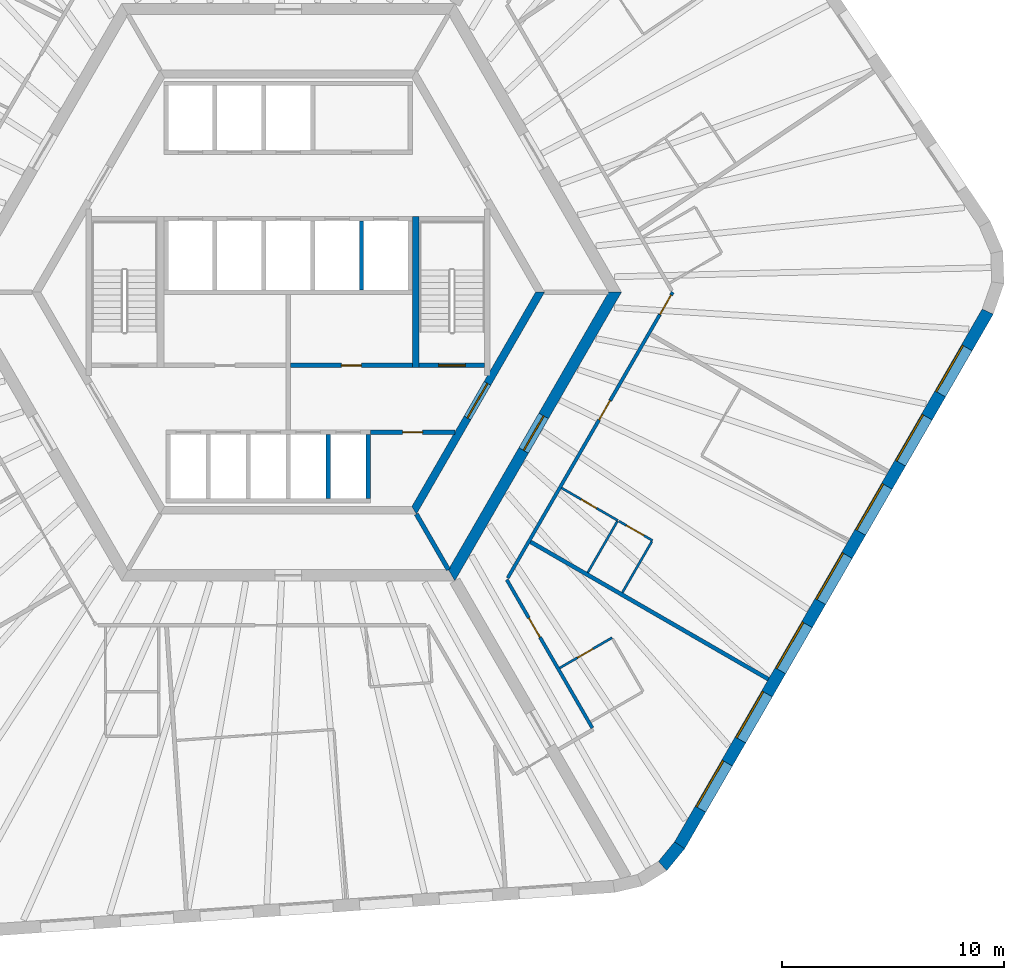
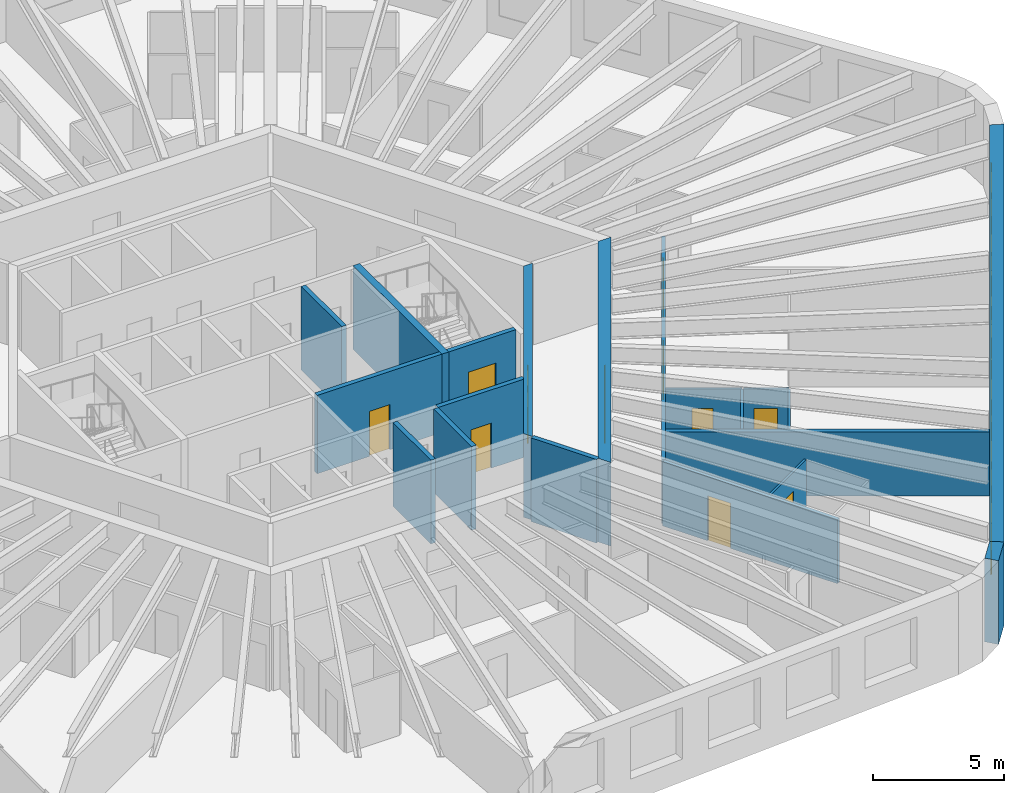
# One storey, part 5 of 10: 20 walls, 11 doors, 7 windows, 18 openings.
"""IFC4 building model written with IfcOpenShell, lengths in metres."""

import ifcopenshell
import ifcopenshell.guid

model = None  # the IFC model being written
_history = None  # IfcOwnerHistory: only IFC2X3 demands one
_inside = {}  # id of a spatial element -> (the spatial element, [elements in it])
_under = {}  # id of a project, library or spatial element -> (it, [spatial elements below it])
_declared = {}  # id of a project -> (the project, [libraries it declares])
_typed = {}  # id of a type object -> (the type object, [elements of that type])
_made_of = {}  # id of a material, layer set ... -> (it, [elements and type objects made of it])


def new_model(schema):
    """Start an empty IFC model of exactly this schema.

    Asked for "IFC4X3", IfcOpenShell would pick the latest addendum, in which some entities
    have other attributes; the version numbers below select the first issue.
    IFC2X3 requires an IfcOwnerHistory on every rooted entity: one is made here for all.
    """
    global model, _history
    if schema == "IFC4X3":
        model = ifcopenshell.file(schema_version=(4, 3, 0, 0))
    else:
        model = ifcopenshell.file(schema=schema)
    _inside.clear()
    _under.clear()
    _declared.clear()
    _typed.clear()
    _made_of.clear()
    _history = None
    if model.schema == "IFC2X3":
        org = make("IfcOrganization", Name="unknown")
        user = make(
            "IfcPersonAndOrganization",
            ThePerson=make("IfcPerson", FamilyName="unknown"),
            TheOrganization=org,
        )
        app = make(
            "IfcApplication",
            ApplicationDeveloper=org,
            Version="unknown",
            ApplicationFullName="unknown",
            ApplicationIdentifier="unknown",
        )
        _history = make(
            "IfcOwnerHistory",
            OwningUser=user,
            OwningApplication=app,
            ChangeAction="ADDED",
            CreationDate=0,
        )
    return model


def make(cls, **values):
    """One entity of the class cls with the attributes given. An attribute that is None is left unset."""
    return model.create_entity(
        cls, **{name: value for name, value in values.items() if value is not None}
    )


def rooted(cls, **values):
    """An entity with a GlobalId (a new one), such as an element, a storey or a relation."""
    return make(cls, GlobalId=ifcopenshell.guid.new(), OwnerHistory=_history, **values)


def si_unit(unit_type, name, prefix=None):
    """IfcSIUnit, for example si_unit("LENGTHUNIT", "METRE", prefix="MILLI")."""
    return make("IfcSIUnit", UnitType=unit_type, Prefix=prefix, Name=name)


def assignment(units):
    """IfcUnitAssignment: the units of a project."""
    return None if units is None else make("IfcUnitAssignment", Units=units)


def point(xyz):
    """IfcCartesianPoint."""
    return None if xyz is None else make("IfcCartesianPoint", Coordinates=xyz)


def direction(xyz):
    """IfcDirection."""
    return None if xyz is None else make("IfcDirection", DirectionRatios=xyz)


def frame(location, z_axis=None, x_axis=None):
    """IfcAxis2Placement3D, a coordinate frame: its origin and axes. An axis left out is left unset."""
    return make(
        "IfcAxis2Placement3D",
        Location=point(location),
        Axis=direction(z_axis),
        RefDirection=direction(x_axis),
    )


def frame_2d(location, x_axis=None):
    """IfcAxis2Placement2D, a coordinate frame in the plane: its origin and x axis."""
    return make(
        "IfcAxis2Placement2D", Location=point(location), RefDirection=direction(x_axis)
    )


def origin():
    """The frame at (0, 0, 0) with its axes left unset."""
    return frame((0.0, 0.0, 0.0))


def place(relative_to, where):
    """IfcLocalPlacement: puts the frame where relative to a parent placement (None: the world)."""
    return make(
        "IfcLocalPlacement", PlacementRelTo=relative_to, RelativePlacement=where
    )


def context(
    kind, dimensions, precision=None, world=None, true_north=None, identifier=None
):
    """IfcGeometricRepresentationContext, for example the 3D "Model" context."""
    return make(
        "IfcGeometricRepresentationContext",
        ContextIdentifier=identifier,
        ContextType=kind,
        CoordinateSpaceDimension=dimensions,
        Precision=precision,
        WorldCoordinateSystem=world,
        TrueNorth=true_north,
    )


def subcontext(parent, identifier, kind, view, scale=None):
    """IfcGeometricRepresentationSubContext, for example "Body" below "Model"."""
    return make(
        "IfcGeometricRepresentationSubContext",
        ContextIdentifier=identifier,
        ContextType=kind,
        ParentContext=parent,
        TargetScale=scale,
        TargetView=view,
    )


def project(units=None, contexts=None):
    """IfcProject with its units and contexts."""
    return rooted(
        "IfcProject",
        Name="project",
        RepresentationContexts=contexts,
        UnitsInContext=assignment(units),
    )


def spatial(cls, under=None, at=None, **own):
    """A site, building, storey or space (cls), placed at a placement, below another one or the project."""
    s = rooted(cls, ObjectPlacement=at, **own)
    if under is not None:
        _under.setdefault(under.id(), (under, []))[1].append(s)
    return s


def polyline(points):
    """IfcPolyline through the points."""
    return make("IfcPolyline", Points=[point(p) for p in points])


def profile(cls, at=None, kind="AREA", **sizes):
    """A parametric profile (cls). Its sizes go by their IFC names, for example OverallWidth=200.0."""
    return make(cls, ProfileType=kind, Position=at, **sizes)


def rectangle(**sizes):
    """IfcRectangleProfileDef."""
    return profile("IfcRectangleProfileDef", **sizes)


def outline(outer, holes=None, kind="AREA"):
    """IfcArbitraryClosedProfileDef: a profile drawn as a closed curve; with holes, ...WithVoids."""
    if holes is None:
        return make("IfcArbitraryClosedProfileDef", ProfileType=kind, OuterCurve=outer)
    return make(
        "IfcArbitraryProfileDefWithVoids",
        ProfileType=kind,
        OuterCurve=outer,
        InnerCurves=holes,
    )


def extrude(swept, where, along, depth):
    """IfcExtrudedAreaSolid: the profile swept, set in the frame where, extruded along a direction by depth."""
    return make(
        "IfcExtrudedAreaSolid",
        SweptArea=swept,
        Position=where,
        ExtrudedDirection=direction(along),
        Depth=depth,
    )


def shape(context_of_items, identifier, shape_type, items):
    """IfcShapeRepresentation: the items that make up one representation, for example the "Body"."""
    return make(
        "IfcShapeRepresentation",
        ContextOfItems=context_of_items,
        RepresentationIdentifier=identifier,
        RepresentationType=shape_type,
        Items=items,
    )


def material(Name=None, Category=None):
    """IfcMaterial."""
    return make("IfcMaterial", Name=Name, Category=Category)


def layer(
    of_material, thickness, ventilated=None, Name=None, Category=None, Priority=None
):
    """IfcMaterialLayer: one layer of a wall or slab, of a material (None: an air gap)."""
    return make(
        "IfcMaterialLayer",
        Material=of_material,
        LayerThickness=thickness,
        IsVentilated=ventilated,
        Name=Name,
        Category=Category,
        Priority=Priority,
    )


def layer_set(layers, Name=None):
    """IfcMaterialLayerSet."""
    return make("IfcMaterialLayerSet", MaterialLayers=layers, LayerSetName=Name)


def made_of(thing, what):
    """Note that an element or type object is made of a material, layer set ...; save() writes the relation."""
    if what is not None:
        _made_of.setdefault(what.id(), (what, []))[1].append(thing)
    return thing


def type_object(cls, material=None, **own):
    """A type object (cls), such as IfcWallType, which elements share."""
    return made_of(rooted(cls, **own), material)


def element(
    cls,
    number,
    at=None,
    inside=None,
    cuts=None,
    type_object=None,
    material=None,
    context=None,
    identifier="Body",
    shape_type=None,
    held_by="IfcProductDefinitionShape",
    body=None,
    shapes=None,
    **own,
):
    """One element of the class cls, such as IfcWall. Its Tag is "e" and its number.

    at: its placement. inside: the storey or other place that contains it. cuts: it is an
    opening in that element (IfcRelVoidsElement). A single representation is given by context,
    identifier, shape_type and body (its items); several are given by shapes. held_by: the class
    of the entity that holds the representations. save() writes the other relations.
    """
    e = rooted(cls, Tag="e%d" % number, ObjectPlacement=at, **own)
    if body is not None:
        shapes = [shape(context, identifier, shape_type, body)]
    if shapes is not None:
        e.Representation = make(held_by, Representations=shapes)
    if inside is not None:
        _inside.setdefault(inside.id(), (inside, []))[1].append(e)
    if cuts is not None:
        rooted(
            "IfcRelVoidsElement", RelatingBuildingElement=cuts, RelatedOpeningElement=e
        )
    if type_object is not None:
        _typed.setdefault(type_object.id(), (type_object, []))[1].append(e)
    return made_of(e, material)


def fill(opening, filler):
    """IfcRelFillsElement: the door or window that sits in an opening."""
    return rooted(
        "IfcRelFillsElement",
        RelatingOpeningElement=opening,
        RelatedBuildingElement=filler,
    )


def aggregate(whole, parts):
    """IfcRelAggregates: a whole, such as a stair, and the parts it consists of."""
    return rooted("IfcRelAggregates", RelatingObject=whole, RelatedObjects=parts)


def save(model, path):
    """Write the relations noted so far, then the file.

    IfcRelAggregates (storeys below a building ...), IfcRelContainedInSpatialStructure (elements
    in a storey), IfcRelDefinesByType, IfcRelAssociatesMaterial and IfcRelDeclares: one each for
    every whole, place, type object, material and project.
    """
    for whole, parts in _under.values():
        aggregate(whole, parts)
    for where, things in _inside.values():
        rooted(
            "IfcRelContainedInSpatialStructure",
            RelatedElements=things,
            RelatingStructure=where,
        )
    for kind, things in _typed.values():
        rooted("IfcRelDefinesByType", RelatedObjects=things, RelatingType=kind)
    for what, things in _made_of.values():
        rooted("IfcRelAssociatesMaterial", RelatedObjects=things, RelatingMaterial=what)
    for by, libraries in _declared.values():
        rooted("IfcRelDeclares", RelatingContext=by, RelatedDefinitions=libraries)
    model.write(path)


model = new_model("IFC4")

# Units and contexts
model_context = context("Model", 3, precision=1e-05, world=origin(), true_north=direction((0.0, 1.0)))
body_context = subcontext(model_context, "Body", "Model", "MODEL_VIEW")
ifc_project = project(units=[si_unit("LENGTHUNIT", "METRE"), si_unit("AREAUNIT", "SQUARE_METRE"), si_unit("VOLUMEUNIT", "CUBIC_METRE"), si_unit("PLANEANGLEUNIT", "RADIAN"), si_unit("MASSUNIT", "GRAM", prefix="KILO")], contexts=[model_context])

# Site, building, storey
site_placement = place(None, origin())
site = spatial("IfcSite", under=ifc_project, at=site_placement, CompositionType="ELEMENT")
building_placement = place(site_placement, origin())
building = spatial("IfcBuilding", under=site, at=building_placement, Name="Tarnside Tower", CompositionType="ELEMENT")
storey_placement = place(building_placement, frame((0.0, 0.0, 187.800048828125)))
storey = spatial("IfcBuildingStorey", under=building, at=storey_placement, Name="L44", CompositionType="ELEMENT", Elevation=187.800048828125)

# Wall, opening, door
ifc_material_1 = material(Name="Gypsum board partition on steel studs", Category="steel")
ifc_layer_1 = layer(ifc_material_1, 0.10009765625)
ifc_layer_set_1 = layer_set([ifc_layer_1], Name="Bathroom wall 100")
wall_type_1 = type_object("IfcWallType", Name="Bathroom wall 100", PredefinedType="PARTITIONING", material=ifc_layer_set_1)
wall_1_placement = place(storey_placement, frame((12.226806640625, -16.927490234375, 0.0), z_axis=(0.0, 0.0, 1.0), x_axis=(0.866012511928, 0.500022328685, 0.0)))
wall_1 = element("IfcWall", 1, at=wall_1_placement, inside=storey, type_object=wall_type_1, Name="Bathroom wall 14100", PredefinedType="PARTITIONING", context=body_context, shape_type="SweptSolid", body=[
    extrude(rectangle(XDim=2.72509765625, YDim=0.10009765625, at=frame_2d((1.362548828125, 0.0))), origin(), (0.0, 0.0, 1.0), 2.98779296875),
])
opening_1_placement = place(wall_1_placement, frame((0.925048828125, 0.0, 0.0)))
opening_1 = element("IfcOpeningElement", 2, at=opening_1_placement, cuts=wall_1, Name="Opening D-B1", PredefinedType="OPENING", context=body_context, shape_type="SweptSolid", body=[
    extrude(rectangle(XDim=0.800048828125, YDim=2.10009765625, at=frame_2d((0.39990234375, 1.050048828125))), frame((0.0, 0.06005859375, 0.0), z_axis=(0.0, -1.0, 0.0), x_axis=(1.0, 0.0, 0.0)), (0.0, 0.0, 1.0), 0.1201171875),
])
ifc_material_2 = material(Name="Timber door leaf", Category="wood")
door_type_1 = type_object("IfcDoorType", Name="Bathroom door 800", OperationType="NOTDEFINED", PredefinedType="DOOR", material=ifc_material_2)
door_1_placement = place(opening_1_placement, origin())
door_1 = element("IfcDoor", 3, at=door_1_placement, inside=storey, type_object=door_type_1, Name="Bathroom door 14026", OperationType="SINGLE_SWING_RIGHT", OverallHeight=2.10009765625, OverallWidth=0.800048828125, PredefinedType="DOOR", context=body_context, shape_type="SweptSolid", body=[
    extrude(rectangle(XDim=0.800048828125, YDim=2.10009765625, at=frame_2d((0.39990234375, 1.050048828125))), frame((0.0, 0.02490234375, 0.0), z_axis=(0.0, -1.0, 0.0), x_axis=(1.0, 0.0, 0.0)), (0.0, 0.0, 1.0), 0.050048828125),
])
fill(opening_1, door_1)

wall_2_placement = place(storey_placement, frame((12.314208984375, -8.821044921875, 0.0), z_axis=(0.0, 0.0, 1.0), x_axis=(0.866046596414, -0.499963291492, 0.0)))
wall_2 = element("IfcWall", 4, at=wall_2_placement, inside=storey, type_object=wall_type_1, Name="Bathroom wall 14106", PredefinedType="PARTITIONING", context=body_context, shape_type="SweptSolid", body=[
    extrude(rectangle(XDim=2.925048828125, YDim=0.10009765625, at=frame_2d((1.46240234375, 0.0))), origin(), (0.0, 0.0, 1.0), 2.98779296875),
])
opening_2_placement = place(wall_2_placement, frame((1.02490234375, 0.0, 0.0)))
opening_2 = element("IfcOpeningElement", 5, at=opening_2_placement, cuts=wall_2, Name="Opening D-B1", PredefinedType="OPENING", context=body_context, shape_type="SweptSolid", body=[
    extrude(rectangle(XDim=0.800048828125, YDim=2.10009765625, at=frame_2d((0.39990234375, 1.050048828125))), frame((0.0, 0.06005859375, 0.0), z_axis=(0.0, -1.0, 0.0), x_axis=(1.0, 0.0, 0.0)), (0.0, 0.0, 1.0), 0.1201171875),
])
door_2_placement = place(opening_2_placement, origin())
door_2 = element("IfcDoor", 6, at=door_2_placement, inside=storey, type_object=door_type_1, Name="Bathroom door 14028", OperationType="SINGLE_SWING_RIGHT", OverallHeight=2.10009765625, OverallWidth=0.800048828125, PredefinedType="DOOR", context=body_context, shape_type="SweptSolid", body=[
    extrude(rectangle(XDim=0.800048828125, YDim=2.10009765625, at=frame_2d((0.39990234375, 1.050048828125))), frame((0.0, 0.02490234375, 0.0), z_axis=(0.0, -1.0, 0.0), x_axis=(1.0, 0.0, 0.0)), (0.0, 0.0, 1.0), 0.050048828125),
])
fill(opening_2, door_2)

# Wall
wall_3_placement = place(storey_placement, frame((13.492431640625, -12.63037109375, 0.0), z_axis=(0.0, 0.0, 1.0), x_axis=(0.50004820116, 0.865997573043, 0.0)))
element("IfcWall", 7, at=wall_3_placement, inside=storey, type_object=wall_type_1, Name="Bathroom wall 14112", PredefinedType="PARTITIONING", context=body_context, shape_type="SweptSolid", body=[
    extrude(rectangle(XDim=2.659912109375, YDim=0.10009765625, at=frame_2d((1.330078125, 0.0))), origin(), (0.0, 0.0, 1.0), 2.98779296875),
])

# Wall, opening, door
ifc_material_3 = material(Name="Concrete C50/60", Category="concrete")
ifc_layer_2 = layer(ifc_material_3, 0.35009765625)
ifc_layer_set_2 = layer_set([ifc_layer_2], Name="Core block wall 350 C50/60")
wall_type_2 = type_object("IfcWallType", Name="Core block wall 350 C50/60", PredefinedType="SHEAR", material=ifc_layer_set_2)
wall_4_placement = place(storey_placement, frame((5.672607421875, -9.824951171875, -0.150146484375), z_axis=(0.0, 0.0, 1.0), x_axis=(0.499995046907, 0.866028263435, 0.0)))
wall_4 = element("IfcWall", 8, at=wall_4_placement, inside=storey, type_object=wall_type_2, Name="L44 core block wall face 5", PredefinedType="SHEAR", context=body_context, shape_type="SweptSolid", body=[
    extrude(outline(polyline([(-0.10107421875, -0.175048828125), (11.44580078125, -0.175048828125), (11.24365234375, 0.175048828125), (0.10107421875, 0.175048828125), (-0.10107421875, -0.175048828125)])), origin(), (0.0, 0.0, 1.0), 3.900146484375),
])
opening_3_placement = place(wall_4_placement, frame((4.80126953125, 0.0, 0.14990234375)))
opening_3 = element("IfcOpeningElement", 9, at=opening_3_placement, cuts=wall_4, Name="Opening CD-FFL", PredefinedType="OPENING", context=body_context, shape_type="SweptSolid", body=[
    extrude(rectangle(XDim=1.800048828125, YDim=2.39990234375, at=frame_2d((0.89990234375, 1.199951171875))), frame((0.0, 0.18505859375, 0.0), z_axis=(0.0, -1.0, 0.0), x_axis=(1.0, 0.0, 0.0)), (0.0, 0.0, 1.0), 0.3701171875),
])
ifc_material_4 = material(Name="Steel fire door", Category="steel")
door_type_2 = type_object("IfcDoorType", Name="Firefighting lobby double door FD60S 1800x2400", OperationType="NOTDEFINED", PredefinedType="DOOR", material=ifc_material_4)
door_3_placement = place(opening_3_placement, origin())
door_3 = element("IfcDoor", 10, at=door_3_placement, inside=storey, type_object=door_type_2, Name="L44 lobby block door P4", OperationType="DOUBLE_DOOR_SINGLE_SWING", OverallHeight=2.39990234375, OverallWidth=1.800048828125, PredefinedType="DOOR", context=body_context, shape_type="SweptSolid", body=[
    extrude(rectangle(XDim=1.800048828125, YDim=2.39990234375, at=frame_2d((0.89990234375, 1.199951171875))), frame((0.0, 0.02490234375, 0.0), z_axis=(0.0, -1.0, 0.0), x_axis=(1.0, 0.0, 0.0)), (0.0, 0.0, 1.0), 0.050048828125),
])
fill(opening_3, door_3)

ifc_material_5 = material(Name="Concrete C40/50", Category="concrete")
ifc_layer_3 = layer(ifc_material_5, 0.199951171875)
ifc_layer_set_3 = layer_set([ifc_layer_3], Name="Core room partition 200 C40/50")
wall_type_3 = type_object("IfcWallType", Name="Core room partition 200 C40/50", PredefinedType="PARTITIONING", material=ifc_layer_set_3)
wall_5_placement = place(storey_placement, frame((0.10009765625, -3.300048828125, 0.0), z_axis=(0.0, 0.0, 1.0), x_axis=(1.0, 0.0, 0.0)))
wall_5 = element("IfcWall", 11, at=wall_5_placement, inside=storey, type_object=wall_type_3, Name="L44 core partition R3S1", PredefinedType="PARTITIONING", context=body_context, shape_type="SweptSolid", body=[
    extrude(rectangle(XDim=5.5, YDim=0.199951171875, at=frame_2d((2.75, 0.0))), origin(), (0.0, 0.0, 1.0), 3.64990234375),
])
opening_4_placement = place(wall_5_placement, frame((2.300048828125, 0.0, 0.0)))
opening_4 = element("IfcOpeningElement", 12, at=opening_4_placement, cuts=wall_5, Name="Opening CD-room", PredefinedType="OPENING", context=body_context, shape_type="SweptSolid", body=[
    extrude(rectangle(XDim=0.89990234375, YDim=2.10009765625, at=frame_2d((0.449951171875, 1.050048828125))), frame((0.0, 0.10986328125, 0.0), z_axis=(0.0, -1.0, 0.0), x_axis=(1.0, 0.0, 0.0)), (0.0, 0.0, 1.0), 0.219970703125),
])
door_type_3 = type_object("IfcDoorType", Name="Room door FD60 900x2100", OperationType="NOTDEFINED", PredefinedType="DOOR", material=ifc_material_4)
door_4_placement = place(opening_4_placement, origin())
door_4 = element("IfcDoor", 13, at=door_4_placement, inside=storey, type_object=door_type_3, Name="L44 core room door SR1", OperationType="SINGLE_SWING_LEFT", OverallHeight=2.10009765625, OverallWidth=0.89990234375, PredefinedType="DOOR", context=body_context, shape_type="SweptSolid", body=[
    extrude(rectangle(XDim=0.89990234375, YDim=2.10009765625, at=frame_2d((0.449951171875, 1.050048828125))), frame((0.0, 0.02490234375, 0.0), z_axis=(0.0, -1.0, 0.0), x_axis=(1.0, 0.0, 0.0)), (0.0, 0.0, 1.0), 0.050048828125),
])
fill(opening_4, door_4)

wall_6_placement = place(storey_placement, frame((3.699951171875, -6.300048828125, 0.0), z_axis=(0.0, 0.0, 1.0), x_axis=(1.0, 0.0, 0.0)))
wall_6 = element("IfcWall", 14, at=wall_6_placement, inside=storey, type_object=wall_type_3, Name="L44 core partition R4X", PredefinedType="PARTITIONING", context=body_context, shape_type="SweptSolid", body=[
    extrude(rectangle(XDim=3.8056640625, YDim=0.199951171875, at=frame_2d((1.90283203125, 0.0))), origin(), (0.0, 0.0, 1.0), 3.64990234375),
])
opening_5_placement = place(wall_6_placement, frame((1.452880859375, 0.0, 0.0)))
opening_5 = element("IfcOpeningElement", 15, at=opening_5_placement, cuts=wall_6, Name="Opening CD-room", PredefinedType="OPENING", context=body_context, shape_type="SweptSolid", body=[
    extrude(rectangle(XDim=0.89990234375, YDim=2.10009765625, at=frame_2d((0.449951171875, 1.050048828125))), frame((0.0, 0.10986328125, 0.0), z_axis=(0.0, -1.0, 0.0), x_axis=(1.0, 0.0, 0.0)), (0.0, 0.0, 1.0), 0.219970703125),
])
door_5_placement = place(opening_5_placement, origin())
door_5 = element("IfcDoor", 16, at=door_5_placement, inside=storey, type_object=door_type_3, Name="L44 core room door RX", OperationType="SINGLE_SWING_LEFT", OverallHeight=2.10009765625, OverallWidth=0.89990234375, PredefinedType="DOOR", context=body_context, shape_type="SweptSolid", body=[
    extrude(rectangle(XDim=0.89990234375, YDim=2.10009765625, at=frame_2d((0.449951171875, 1.050048828125))), frame((0.0, 0.02490234375, 0.0), z_axis=(0.0, -1.0, 0.0), x_axis=(1.0, 0.0, 0.0)), (0.0, 0.0, 1.0), 0.050048828125),
])
fill(opening_5, door_5)

ifc_material_6 = material(Name="Concrete C70/85", Category="concrete")
ifc_layer_4 = layer(ifc_material_6, 0.5)
ifc_layer_set_4 = layer_set([ifc_layer_4], Name="Core wall Z2 500 C70/85")
wall_type_4 = type_object("IfcWallType", Name="Core wall Z2 500 C70/85", PredefinedType="SHEAR", material=ifc_layer_set_4)
wall_7_placement = place(storey_placement, frame((7.361083984375, -12.75, -0.150146484375), z_axis=(0.0, 0.0, 1.0), x_axis=(0.50000571537, 0.866022103989, 0.0)))
wall_7 = element("IfcWall", 17, at=wall_7_placement, inside=storey, type_object=wall_type_4, Name="L44 core wall face 5", PredefinedType="SHEAR", context=body_context, shape_type="SweptSolid", body=[
    extrude(outline(polyline([(-0.144287109375, -0.25), (14.86669921875, -0.25), (14.578125, 0.25), (0.144287109375, 0.25), (-0.144287109375, -0.25)])), origin(), (0.0, 0.0, 1.0), 3.900146484375),
])
opening_6_placement = place(wall_7_placement, frame((6.489990234375, 0.0, 0.14990234375)))
opening_6 = element("IfcOpeningElement", 18, at=opening_6_placement, cuts=wall_7, Name="Opening CD-FFL", PredefinedType="OPENING", context=body_context, shape_type="SweptSolid", body=[
    extrude(rectangle(XDim=1.800048828125, YDim=2.39990234375, at=frame_2d((0.89990234375, 1.199951171875))), frame((0.0, 0.260009765625, 0.0), z_axis=(0.0, -1.0, 0.0), x_axis=(1.0, 0.0, 0.0)), (0.0, 0.0, 1.0), 0.52001953125),
])
door_6_placement = place(opening_6_placement, origin())
door_6 = element("IfcDoor", 19, at=door_6_placement, inside=storey, type_object=door_type_2, Name="L44 core door P4", OperationType="DOUBLE_DOOR_SINGLE_SWING", OverallHeight=2.39990234375, OverallWidth=1.800048828125, PredefinedType="DOOR", context=body_context, shape_type="SweptSolid", body=[
    extrude(rectangle(XDim=1.800048828125, YDim=2.39990234375, at=frame_2d((0.89990234375, 1.199951171875))), frame((0.0, 0.02490234375, 0.0), z_axis=(0.0, -1.0, 0.0), x_axis=(1.0, 0.0, 0.0)), (0.0, 0.0, 1.0), 0.050048828125),
])
fill(opening_6, door_6)

ifc_layer_5 = layer(ifc_material_1, 0.14990234375)
ifc_layer_set_5 = layer_set([ifc_layer_5], Name="Corridor wall 150 EI 60")
wall_type_5 = type_object("IfcWallType", Name="Corridor wall 150 EI 60", PredefinedType="PARTITIONING", material=ifc_layer_set_5)
wall_8_placement = place(storey_placement, frame((13.69921875, -19.6279296875, 0.0), z_axis=(0.0, 0.0, 1.0), x_axis=(-0.499993780622, 0.866028994514, 0.0)))
wall_8 = element("IfcWall", 20, at=wall_8_placement, inside=storey, type_object=wall_type_5, Name="Corridor wall 14035", PredefinedType="PARTITIONING", context=body_context, shape_type="SweptSolid", body=[
    extrude(rectangle(XDim=7.7109375, YDim=0.14990234375, at=frame_2d((3.85546875, 0.0))), origin(), (0.0, 0.0, 1.0), 2.98779296875),
])
opening_7_placement = place(wall_8_placement, frame((4.718017578125, 0.0, 0.0)))
opening_7 = element("IfcOpeningElement", 21, at=opening_7_placement, cuts=wall_8, Name="Opening D-E1", PredefinedType="OPENING", context=body_context, shape_type="SweptSolid", body=[
    extrude(rectangle(XDim=1.0, YDim=2.10009765625, at=frame_2d((0.5, 1.050048828125))), frame((0.0, 0.0849609375, 0.0), z_axis=(0.0, -1.0, 0.0), x_axis=(1.0, 0.0, 0.0)), (0.0, 0.0, 1.0), 0.169921875),
])
door_type_4 = type_object("IfcDoorType", Name="Unit entrance door 1000 FD30S", OperationType="NOTDEFINED", PredefinedType="DOOR", material=ifc_material_2)
door_7_placement = place(opening_7_placement, origin())
door_7 = element("IfcDoor", 22, at=door_7_placement, inside=storey, type_object=door_type_4, Name="Unit door 14025", OperationType="SINGLE_SWING_LEFT", OverallHeight=2.10009765625, OverallWidth=1.0, PredefinedType="DOOR", context=body_context, shape_type="SweptSolid", body=[
    extrude(rectangle(XDim=1.0, YDim=2.10009765625, at=frame_2d((0.5, 1.050048828125))), frame((0.0, 0.02490234375, 0.0), z_axis=(0.0, -1.0, 0.0), x_axis=(1.0, 0.0, 0.0)), (0.0, 0.0, 1.0), 0.050048828125),
])
fill(opening_7, door_7)

# Wall, openings, doors
wall_9_placement = place(storey_placement, frame((9.88720703125, -12.875, 0.0), z_axis=(0.0, 0.0, 1.0), x_axis=(0.499998228944, 0.866026426302, 0.0)))
wall_9 = element("IfcWall", 23, at=wall_9_placement, inside=storey, type_object=wall_type_5, Name="Corridor wall 14036", PredefinedType="PARTITIONING", context=body_context, shape_type="SweptSolid", body=[
    extrude(rectangle(XDim=14.86669921875, YDim=0.14990234375, at=frame_2d((7.433349609375, 0.0))), origin(), (0.0, 0.0, 1.0), 2.98779296875),
])
opening_8_placement = place(wall_9_placement, frame((8.224365234375, 0.0, 0.0)))
opening_8 = element("IfcOpeningElement", 24, at=opening_8_placement, cuts=wall_9, Name="Opening D-E1", PredefinedType="OPENING", context=body_context, shape_type="SweptSolid", body=[
    extrude(rectangle(XDim=1.0, YDim=2.10009765625, at=frame_2d((0.5, 1.050048828125))), frame((0.0, 0.0849609375, 0.0), z_axis=(0.0, -1.0, 0.0), x_axis=(1.0, 0.0, 0.0)), (0.0, 0.0, 1.0), 0.169921875),
])
opening_9_placement = place(wall_9_placement, frame((13.716796875, 0.0, 0.0)))
opening_9 = element("IfcOpeningElement", 25, at=opening_9_placement, cuts=wall_9, Name="Opening D-E1", PredefinedType="OPENING", context=body_context, shape_type="SweptSolid", body=[
    extrude(rectangle(XDim=1.0, YDim=2.10009765625, at=frame_2d((0.5, 1.050048828125))), frame((0.0, 0.0849609375, 0.0), z_axis=(0.0, -1.0, 0.0), x_axis=(1.0, 0.0, 0.0)), (0.0, 0.0, 1.0), 0.169921875),
])
door_8_placement = place(opening_8_placement, origin())
door_8 = element("IfcDoor", 26, at=door_8_placement, inside=storey, type_object=door_type_4, Name="Unit door 14027", OperationType="SINGLE_SWING_LEFT", OverallHeight=2.10009765625, OverallWidth=1.0, PredefinedType="DOOR", context=body_context, shape_type="SweptSolid", body=[
    extrude(rectangle(XDim=1.0, YDim=2.10009765625, at=frame_2d((0.5, 1.050048828125))), frame((0.0, 0.02490234375, 0.0), z_axis=(0.0, -1.0, 0.0), x_axis=(1.0, 0.0, 0.0)), (0.0, 0.0, 1.0), 0.050048828125),
])
fill(opening_8, door_8)
door_9_placement = place(opening_9_placement, origin())
door_9 = element("IfcDoor", 27, at=door_9_placement, inside=storey, type_object=door_type_4, Name="Unit door 14031", OperationType="SINGLE_SWING_LEFT", OverallHeight=2.10009765625, OverallWidth=1.0, PredefinedType="DOOR", context=body_context, shape_type="SweptSolid", body=[
    extrude(rectangle(XDim=1.0, YDim=2.10009765625, at=frame_2d((0.5, 1.050048828125))), frame((0.0, 0.02490234375, 0.0), z_axis=(0.0, -1.0, 0.0), x_axis=(1.0, 0.0, 0.0)), (0.0, 0.0, 1.0), 0.050048828125),
])
fill(opening_9, door_9)

# Walls
ifc_layer_6 = layer(ifc_material_1, 0.179931640625)
ifc_layer_set_6 = layer_set([ifc_layer_6], Name="Demising wall 180 EI 60")
wall_type_6 = type_object("IfcWallType", Name="Demising wall 180 EI 60", PredefinedType="PARTITIONING", material=ifc_layer_set_6)
wall_10_placement = place(storey_placement, frame((21.63134765625, -17.433349609375, 0.0), z_axis=(0.0, 0.0, 1.0), x_axis=(-0.866024931941, 0.500000817256, 0.0)))
element("IfcWall", 28, at=wall_10_placement, inside=storey, type_object=wall_type_6, Name="Demising wall 14103", PredefinedType="PARTITIONING", context=body_context, shape_type="SweptSolid", body=[
    extrude(rectangle(XDim=12.375, YDim=0.179931640625, at=frame_2d((6.1875, 0.0))), origin(), (0.0, 0.0, 1.0), 2.98779296875),
])
ifc_layer_7 = layer(ifc_material_5, 0.199951171875)
ifc_layer_set_7 = layer_set([ifc_layer_7], Name="Lift shaft wall 200 C40/50")
wall_type_7 = type_object("IfcWallType", Name="Lift shaft wall 200 C40/50", PredefinedType="SHEAR", material=ifc_layer_set_7)
wall_11_placement = place(storey_placement, frame((3.300048828125, 0.10009765625, -0.25), z_axis=(0.0, 0.0, 1.0), x_axis=(0.0, 1.0, 0.0)))
element("IfcWall", 29, at=wall_11_placement, inside=storey, type_object=wall_type_7, Name="L44 lift shaft partition R25", PredefinedType="SHEAR", context=body_context, shape_type="SweptSolid", body=[
    extrude(rectangle(XDim=3.099853515625, YDim=0.199951171875, at=frame_2d((1.5498046875, 0.0))), origin(), (0.0, 0.0, 1.0), 3.89990234375),
])
for number, where, z_axis, x_axis, name in (
    (30, (1.800048828125, -9.300048828125, -0.25), (0.0, 0.0, 1.0), (0.0, 1.0, 0.0), "L44 lift shaft partition R45"),
    (31, (3.60009765625, -9.300048828125, -0.25), (0.0, 0.0, 1.0), (0.0, 1.0, 0.0), "L44 lift shaft partition R46"),
):
    element("IfcWall", number, at=place(storey_placement, frame(where, z_axis=z_axis, x_axis=x_axis)), inside=storey, type_object=wall_type_7, Name=name, PredefinedType="SHEAR", context=body_context, shape_type="SweptSolid", body=[
        extrude(rectangle(XDim=2.900146484375, YDim=0.199951171875, at=frame_2d((1.4501953125, 0.0))), origin(), (0.0, 0.0, 1.0), 3.89990234375),
    ])
wall_12_placement = place(storey_placement, frame((5.7734375, -10.0, -0.150146484375), z_axis=(0.0, 0.0, 1.0), x_axis=(0.499995765644, -0.866027848477, 0.0)))
element("IfcWall", 32, at=wall_12_placement, inside=storey, type_object=wall_type_7, Name="L44 core partition AR300", PredefinedType="SHEAR", context=body_context, shape_type="SweptSolid", body=[
    extrude(rectangle(XDim=2.88671875, YDim=0.199951171875, at=frame_2d((1.443359375, 0.0))), origin(), (0.0, 0.0, 1.0), 3.900146484375),
])

# Wall, opening, door
wall_13_placement = place(storey_placement, frame((5.89990234375, -3.300048828125, -0.25), z_axis=(0.0, 0.0, 1.0), x_axis=(1.0, 0.0, 0.0)))
wall_13 = element("IfcWall", 33, at=wall_13_placement, inside=storey, type_object=wall_type_7, Name="L44 stair 1 enclosure cap wall s", PredefinedType="SHEAR", context=body_context, shape_type="SweptSolid", body=[
    extrude(rectangle(XDim=2.9501953125, YDim=0.199951171875, at=frame_2d((1.47509765625, 0.0))), origin(), (0.0, 0.0, 1.0), 3.89990234375),
])
opening_10_placement = place(wall_13_placement, frame((0.875, 0.0, 0.25)))
opening_10 = element("IfcOpeningElement", 34, at=opening_10_placement, cuts=wall_13, Name="Opening CD-STR", PredefinedType="OPENING", context=body_context, shape_type="SweptSolid", body=[
    extrude(rectangle(XDim=1.199951171875, YDim=2.39990234375, at=frame_2d((0.60009765625, 1.199951171875))), frame((0.0, 0.10986328125, 0.0), z_axis=(0.0, -1.0, 0.0), x_axis=(1.0, 0.0, 0.0)), (0.0, 0.0, 1.0), 0.219970703125),
])
door_type_5 = type_object("IfcDoorType", Name="Stair door FD60S 1200x2400", OperationType="NOTDEFINED", PredefinedType="DOOR", material=ifc_material_4)
door_10_placement = place(opening_10_placement, origin())
door_10 = element("IfcDoor", 35, at=door_10_placement, inside=storey, type_object=door_type_5, Name="L44 stair 1 door", OperationType="SINGLE_SWING_LEFT", OverallHeight=2.39990234375, OverallWidth=1.199951171875, PredefinedType="DOOR", context=body_context, shape_type="SweptSolid", body=[
    extrude(rectangle(XDim=1.199951171875, YDim=2.39990234375, at=frame_2d((0.60009765625, 1.199951171875))), frame((0.0, 0.02490234375, 0.0), z_axis=(0.0, -1.0, 0.0), x_axis=(1.0, 0.0, 0.0)), (0.0, 0.0, 1.0), 0.050048828125),
])
fill(opening_10, door_10)

ifc_layer_8 = layer(ifc_material_1, 0.10009765625)
ifc_layer_set_8 = layer_set([ifc_layer_8], Name="Partition 100")
wall_type_8 = type_object("IfcWallType", Name="Partition 100", PredefinedType="PARTITIONING", material=ifc_layer_set_8)
wall_14_placement = place(storey_placement, frame((14.890625, -10.30859375, 0.0), z_axis=(0.0, 0.0, 1.0), x_axis=(0.866036909293, -0.499980071345, 0.0)))
wall_14 = element("IfcWall", 36, at=wall_14_placement, inside=storey, type_object=wall_type_8, Name="Partition wall 14107", PredefinedType="PARTITIONING", context=body_context, shape_type="SweptSolid", body=[
    extrude(rectangle(XDim=1.75, YDim=0.10009765625, at=frame_2d((0.875, 0.0))), origin(), (0.0, 0.0, 1.0), 2.98779296875),
])
opening_11_placement = place(wall_14_placement, frame((0.39990234375, 0.0, 0.0)))
opening_11 = element("IfcOpeningElement", 37, at=opening_11_placement, cuts=wall_14, Name="Opening D-I1", PredefinedType="OPENING", context=body_context, shape_type="SweptSolid", body=[
    extrude(rectangle(XDim=0.89990234375, YDim=2.10009765625, at=frame_2d((0.449951171875, 1.050048828125))), frame((0.0, 0.06005859375, 0.0), z_axis=(0.0, -1.0, 0.0), x_axis=(1.0, 0.0, 0.0)), (0.0, 0.0, 1.0), 0.1201171875),
])
door_type_6 = type_object("IfcDoorType", Name="Internal door 900", OperationType="NOTDEFINED", PredefinedType="DOOR", material=ifc_material_2)
door_11_placement = place(opening_11_placement, origin())
door_11 = element("IfcDoor", 38, at=door_11_placement, inside=storey, type_object=door_type_6, Name="Internal door 14029", OperationType="SINGLE_SWING_RIGHT", OverallHeight=2.10009765625, OverallWidth=0.89990234375, PredefinedType="DOOR", context=body_context, shape_type="SweptSolid", body=[
    extrude(rectangle(XDim=0.89990234375, YDim=2.10009765625, at=frame_2d((0.449951171875, 1.050048828125))), frame((0.0, 0.02490234375, 0.0), z_axis=(0.0, -1.0, 0.0), x_axis=(1.0, 0.0, 0.0)), (0.0, 0.0, 1.0), 0.050048828125),
])
fill(opening_11, door_11)

# Walls
wall_15_placement = place(storey_placement, frame((16.38134765625, -11.226806640625, 0.0), z_axis=(0.0, 0.0, 1.0), x_axis=(-0.500008456887, -0.866020521143, 0.0)))
element("IfcWall", 39, at=wall_15_placement, inside=storey, type_object=wall_type_8, Name="Partition wall 14108", PredefinedType="PARTITIONING", context=body_context, shape_type="SweptSolid", body=[
    extrude(rectangle(XDim=2.66015625, YDim=0.10009765625, at=frame_2d((1.330078125, 0.0))), origin(), (0.0, 0.0, 1.0), 2.98779296875),
])
ifc_layer_9 = layer(ifc_material_5, 0.300048828125)
ifc_layer_set_9 = layer_set([ifc_layer_9], Name="Stair enclosure wall 300 C40/50")
wall_type_9 = type_object("IfcWallType", Name="Stair enclosure wall 300 C40/50", PredefinedType="SHEAR", material=ifc_layer_set_9)
wall_16_placement = place(storey_placement, frame((5.75, -3.39990234375, -0.25), z_axis=(0.0, 0.0, 1.0), x_axis=(0.0, 1.0, 0.0)))
element("IfcWall", 40, at=wall_16_placement, inside=storey, type_object=wall_type_9, Name="L44 stair 1 enclosure wall inner", PredefinedType="SHEAR", context=body_context, shape_type="SweptSolid", body=[
    extrude(rectangle(XDim=6.7998046875, YDim=0.300048828125, at=frame_2d((3.39990234375, 0.0))), origin(), (0.0, 0.0, 1.0), 3.89990234375),
])
ifc_material_7 = material(Name="Facing brick", Category="masonry")
ifc_layer_10 = layer(ifc_material_7, 0.10205078125)
ifc_material_8 = material(Name="Concrete C60/75 precast", Category="concrete")
ifc_layer_11 = layer(ifc_material_8, 0.347900390625)
ifc_material_9 = material(Name="Mineral wool insulation")
ifc_layer_12 = layer(ifc_material_9, 0.10009765625)
ifc_layer_set_10 = layer_set([ifc_layer_10, ifc_layer_11, ifc_layer_12], Name="Tube wall 550 brick faced")
wall_type_10 = type_object("IfcWallType", Name="Tube wall 550 brick faced", PredefinedType="SOLIDWALL", material=ifc_layer_set_10)
wall_17_placement = place(storey_placement, frame((16.8642578125, -25.848388671875, -0.150146484375), z_axis=(0.0, 0.0, 1.0), x_axis=(0.633842757806, 0.773461930787, 0.0)))
element("IfcWall", 41, at=wall_17_placement, inside=storey, type_object=wall_type_10, Name="Tube wall L44 F4 chord 15", PredefinedType="SOLIDWALL", context=body_context, shape_type="SweptSolid", body=[
    extrude(outline(polyline([(-0.045166015625, -0.27490234375), (1.230712890625, -0.27490234375), (1.185791015625, 0.27490234375), (0.045166015625, 0.27490234375), (-0.045166015625, -0.27490234375)])), origin(), (0.0, 0.0, 1.0), 3.900146484375),
])

# Wall, openings, windows
wall_18_placement = place(storey_placement, frame((17.630126953125, -24.913818359375, -0.150146484375), z_axis=(0.0, 0.0, 1.0), x_axis=(0.499998569178, 0.866026229868, 0.0)))
wall_18 = element("IfcWall", 42, at=wall_18_placement, inside=storey, type_object=wall_type_10, Name="Tube wall L44 F5 flush 16", PredefinedType="SOLIDWALL", context=body_context, shape_type="SweptSolid", body=[
    extrude(outline(polyline([(-0.0224609375, -0.27490234375), (27.783447265625, -0.27490234375), (27.732177734375, 0.27490234375), (0.0224609375, 0.27490234375), (-0.0224609375, -0.27490234375)])), origin(), (0.0, 0.0, 1.0), 3.900146484375),
])
opening_12_placement = place(wall_18_placement, frame((1.87890625, 0.0, 1.050048828125)))
opening_12 = element("IfcOpeningElement", 43, at=opening_12_placement, cuts=wall_18, Name="Opening WH", PredefinedType="OPENING", context=body_context, shape_type="SweptSolid", body=[
    extrude(rectangle(XDim=2.39990234375, YDim=2.39990234375, at=frame_2d((1.199951171875, 1.199951171875))), frame((0.0, 0.28515625, 0.0), z_axis=(0.0, -1.0, 0.0), x_axis=(1.0, 0.0, 0.0)), (0.0, 0.0, 1.0), 0.570068359375),
])
opening_13_placement = place(wall_18_placement, frame((5.47900390625, 0.0, 1.050048828125)))
opening_13 = element("IfcOpeningElement", 44, at=opening_13_placement, cuts=wall_18, Name="Opening WH", PredefinedType="OPENING", context=body_context, shape_type="SweptSolid", body=[
    extrude(rectangle(XDim=2.39990234375, YDim=2.39990234375, at=frame_2d((1.199951171875, 1.199951171875))), frame((0.0, 0.28515625, 0.0), z_axis=(0.0, -1.0, 0.0), x_axis=(1.0, 0.0, 0.0)), (0.0, 0.0, 1.0), 0.570068359375),
])
opening_14_placement = place(wall_18_placement, frame((9.078857421875, 0.0, 1.050048828125)))
opening_14 = element("IfcOpeningElement", 45, at=opening_14_placement, cuts=wall_18, Name="Opening WH", PredefinedType="OPENING", context=body_context, shape_type="SweptSolid", body=[
    extrude(rectangle(XDim=2.39990234375, YDim=2.39990234375, at=frame_2d((1.199951171875, 1.199951171875))), frame((0.0, 0.28515625, 0.0), z_axis=(0.0, -1.0, 0.0), x_axis=(1.0, 0.0, 0.0)), (0.0, 0.0, 1.0), 0.570068359375),
])
opening_15_placement = place(wall_18_placement, frame((12.678955078125, 0.0, 1.050048828125)))
opening_15 = element("IfcOpeningElement", 46, at=opening_15_placement, cuts=wall_18, Name="Opening WH", PredefinedType="OPENING", context=body_context, shape_type="SweptSolid", body=[
    extrude(rectangle(XDim=2.39990234375, YDim=2.39990234375, at=frame_2d((1.199951171875, 1.199951171875))), frame((0.0, 0.28515625, 0.0), z_axis=(0.0, -1.0, 0.0), x_axis=(1.0, 0.0, 0.0)), (0.0, 0.0, 1.0), 0.570068359375),
])
opening_16_placement = place(wall_18_placement, frame((16.27880859375, 0.0, 1.050048828125)))
opening_16 = element("IfcOpeningElement", 47, at=opening_16_placement, cuts=wall_18, Name="Opening WH", PredefinedType="OPENING", context=body_context, shape_type="SweptSolid", body=[
    extrude(rectangle(XDim=2.39990234375, YDim=2.39990234375, at=frame_2d((1.199951171875, 1.199951171875))), frame((0.0, 0.28515625, 0.0), z_axis=(0.0, -1.0, 0.0), x_axis=(1.0, 0.0, 0.0)), (0.0, 0.0, 1.0), 0.570068359375),
])
opening_17_placement = place(wall_18_placement, frame((19.87890625, 0.0, 1.050048828125)))
opening_17 = element("IfcOpeningElement", 48, at=opening_17_placement, cuts=wall_18, Name="Opening WH", PredefinedType="OPENING", context=body_context, shape_type="SweptSolid", body=[
    extrude(rectangle(XDim=2.39990234375, YDim=2.39990234375, at=frame_2d((1.199951171875, 1.199951171875))), frame((0.0, 0.28515625, 0.0), z_axis=(0.0, -1.0, 0.0), x_axis=(1.0, 0.0, 0.0)), (0.0, 0.0, 1.0), 0.570068359375),
])
opening_18_placement = place(wall_18_placement, frame((23.47900390625, 0.0, 1.050048828125)))
opening_18 = element("IfcOpeningElement", 49, at=opening_18_placement, cuts=wall_18, Name="Opening WH", PredefinedType="OPENING", context=body_context, shape_type="SweptSolid", body=[
    extrude(rectangle(XDim=2.39990234375, YDim=2.39990234375, at=frame_2d((1.199951171875, 1.199951171875))), frame((0.0, 0.28515625, 0.0), z_axis=(0.0, -1.0, 0.0), x_axis=(1.0, 0.0, 0.0)), (0.0, 0.0, 1.0), 0.570068359375),
])
ifc_material_10 = material(Name="Aluminium-framed double glazing", Category="aluminium")
window_type = type_object("IfcWindowType", Name="Hotel window 2400 x 2400", PartitioningType="DOUBLE_PANEL_VERTICAL", PredefinedType="WINDOW", material=ifc_material_10)
window_1_placement = place(opening_12_placement, frame((0.0, 0.205078125, 0.0)))
window_1 = element("IfcWindow", 50, at=window_1_placement, inside=storey, type_object=window_type, Name="E.WN.L44.F5.00", OverallHeight=2.39990234375, OverallWidth=2.39990234375, PartitioningType="DOUBLE_PANEL_VERTICAL", PredefinedType="WINDOW", context=body_context, shape_type="SweptSolid", body=[
    extrude(rectangle(XDim=2.39990234375, YDim=2.39990234375, at=frame_2d((1.199951171875, 1.199951171875))), frame((0.0, 0.030029296875, 0.0), z_axis=(0.0, -1.0, 0.0), x_axis=(1.0, 0.0, 0.0)), (0.0, 0.0, 1.0), 0.06005859375),
])
fill(opening_12, window_1)
window_2_placement = place(opening_13_placement, frame((0.0, 0.205078125, 0.0)))
window_2 = element("IfcWindow", 51, at=window_2_placement, inside=storey, type_object=window_type, Name="E.WN.L44.F5.01", OverallHeight=2.39990234375, OverallWidth=2.39990234375, PartitioningType="DOUBLE_PANEL_VERTICAL", PredefinedType="WINDOW", context=body_context, shape_type="SweptSolid", body=[
    extrude(rectangle(XDim=2.39990234375, YDim=2.39990234375, at=frame_2d((1.199951171875, 1.199951171875))), frame((0.0, 0.030029296875, 0.0), z_axis=(0.0, -1.0, 0.0), x_axis=(1.0, 0.0, 0.0)), (0.0, 0.0, 1.0), 0.06005859375),
])
fill(opening_13, window_2)
window_3_placement = place(opening_14_placement, frame((0.0, 0.205078125, 0.0)))
window_3 = element("IfcWindow", 52, at=window_3_placement, inside=storey, type_object=window_type, Name="E.WN.L44.F5.02", OverallHeight=2.39990234375, OverallWidth=2.39990234375, PartitioningType="DOUBLE_PANEL_VERTICAL", PredefinedType="WINDOW", context=body_context, shape_type="SweptSolid", body=[
    extrude(rectangle(XDim=2.39990234375, YDim=2.39990234375, at=frame_2d((1.199951171875, 1.199951171875))), frame((0.0, 0.030029296875, 0.0), z_axis=(0.0, -1.0, 0.0), x_axis=(1.0, 0.0, 0.0)), (0.0, 0.0, 1.0), 0.06005859375),
])
fill(opening_14, window_3)
window_4_placement = place(opening_15_placement, frame((0.0, 0.205078125, 0.0)))
window_4 = element("IfcWindow", 53, at=window_4_placement, inside=storey, type_object=window_type, Name="E.WN.L44.F5.03", OverallHeight=2.39990234375, OverallWidth=2.39990234375, PartitioningType="DOUBLE_PANEL_VERTICAL", PredefinedType="WINDOW", context=body_context, shape_type="SweptSolid", body=[
    extrude(rectangle(XDim=2.39990234375, YDim=2.39990234375, at=frame_2d((1.199951171875, 1.199951171875))), frame((0.0, 0.030029296875, 0.0), z_axis=(0.0, -1.0, 0.0), x_axis=(1.0, 0.0, 0.0)), (0.0, 0.0, 1.0), 0.06005859375),
])
fill(opening_15, window_4)
window_5_placement = place(opening_16_placement, frame((0.0, 0.205078125, 0.0)))
window_5 = element("IfcWindow", 54, at=window_5_placement, inside=storey, type_object=window_type, Name="E.WN.L44.F5.04", OverallHeight=2.39990234375, OverallWidth=2.39990234375, PartitioningType="DOUBLE_PANEL_VERTICAL", PredefinedType="WINDOW", context=body_context, shape_type="SweptSolid", body=[
    extrude(rectangle(XDim=2.39990234375, YDim=2.39990234375, at=frame_2d((1.199951171875, 1.199951171875))), frame((0.0, 0.030029296875, 0.0), z_axis=(0.0, -1.0, 0.0), x_axis=(1.0, 0.0, 0.0)), (0.0, 0.0, 1.0), 0.06005859375),
])
fill(opening_16, window_5)
window_6_placement = place(opening_17_placement, frame((0.0, 0.205078125, 0.0)))
window_6 = element("IfcWindow", 55, at=window_6_placement, inside=storey, type_object=window_type, Name="E.WN.L44.F5.05", OverallHeight=2.39990234375, OverallWidth=2.39990234375, PartitioningType="DOUBLE_PANEL_VERTICAL", PredefinedType="WINDOW", context=body_context, shape_type="SweptSolid", body=[
    extrude(rectangle(XDim=2.39990234375, YDim=2.39990234375, at=frame_2d((1.199951171875, 1.199951171875))), frame((0.0, 0.030029296875, 0.0), z_axis=(0.0, -1.0, 0.0), x_axis=(1.0, 0.0, 0.0)), (0.0, 0.0, 1.0), 0.06005859375),
])
fill(opening_17, window_6)
window_7_placement = place(opening_18_placement, frame((0.0, 0.205078125, 0.0)))
window_7 = element("IfcWindow", 56, at=window_7_placement, inside=storey, type_object=window_type, Name="E.WN.L44.F5.06", OverallHeight=2.39990234375, OverallWidth=2.39990234375, PartitioningType="DOUBLE_PANEL_VERTICAL", PredefinedType="WINDOW", context=body_context, shape_type="SweptSolid", body=[
    extrude(rectangle(XDim=2.39990234375, YDim=2.39990234375, at=frame_2d((1.199951171875, 1.199951171875))), frame((0.0, 0.030029296875, 0.0), z_axis=(0.0, -1.0, 0.0), x_axis=(1.0, 0.0, 0.0)), (0.0, 0.0, 1.0), 0.06005859375),
])
fill(opening_18, window_7)

save(model, "model.ifc")
